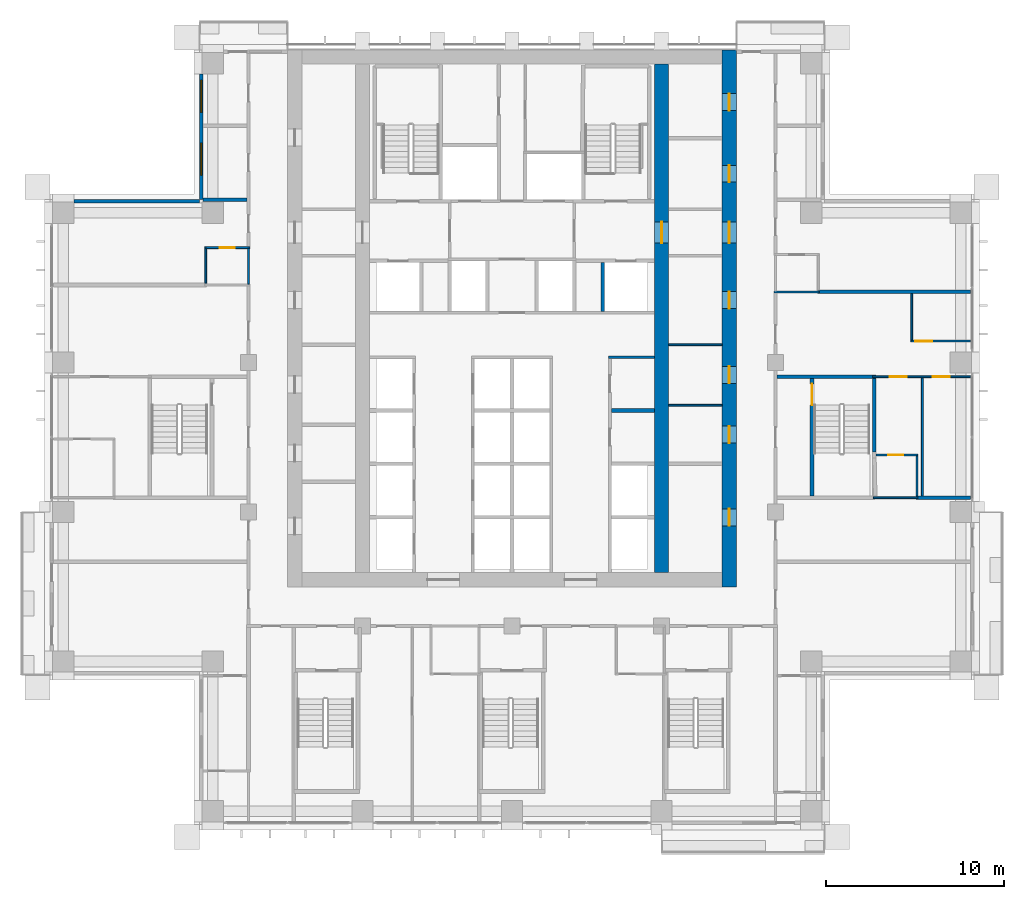
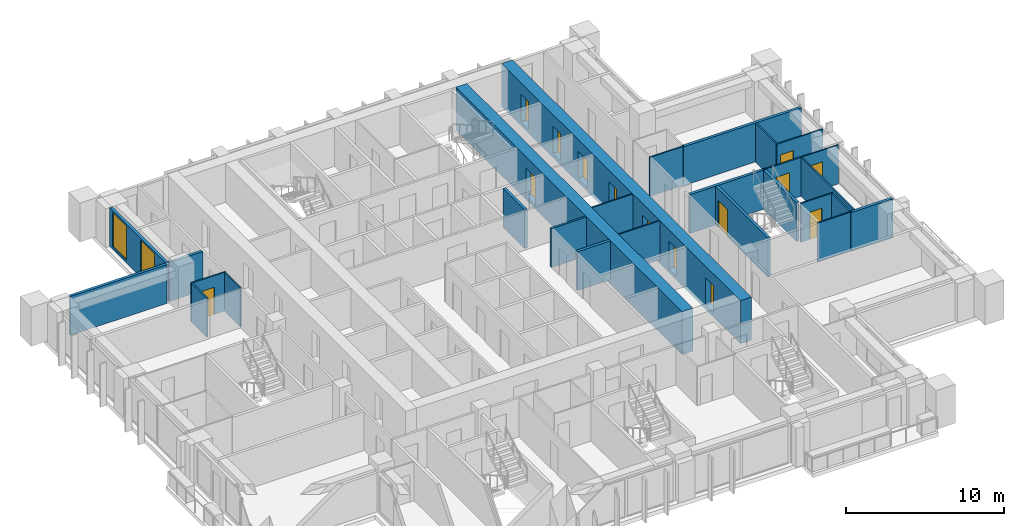
# One storey, part 13 of 21: 26 walls, 14 doors, 2 windows, 16 openings.
"""IFC4 building model written with IfcOpenShell, lengths in metres."""

from ifc_helpers import new_model, si_unit, direction, frame, frame_2d, origin, place, context, subcontext, project, spatial, rectangle, extrude, material, layer, layer_set, type_object, element, fill, save


model = new_model("IFC4")

# Units and contexts
model_context = context("Model", 3, precision=1e-05, world=origin(), true_north=direction((0.0, 1.0)))
body_context = subcontext(model_context, "Body", "Model", "MODEL_VIEW")
ifc_project = project(units=[si_unit("LENGTHUNIT", "METRE"), si_unit("AREAUNIT", "SQUARE_METRE"), si_unit("VOLUMEUNIT", "CUBIC_METRE"), si_unit("PLANEANGLEUNIT", "RADIAN"), si_unit("MASSUNIT", "GRAM", prefix="KILO")], contexts=[model_context])

# Site, building, storey
site_placement = place(None, origin())
site = spatial("IfcSite", under=ifc_project, at=site_placement, CompositionType="ELEMENT")
building_placement = place(site_placement, origin())
building = spatial("IfcBuilding", under=site, at=building_placement, Name="Vermilion Ogive Tower", CompositionType="ELEMENT")
storey_placement = place(building_placement, frame((0.0, 0.0, 118.35009765625)))
storey = spatial("IfcBuildingStorey", under=building, at=storey_placement, Name="L30", CompositionType="ELEMENT", Elevation=118.35009765625)

# Wall, openings, doors
ifc_material_1 = material(Name="Concrete B80", Category="concrete")
ifc_layer_1 = layer(ifc_material_1, 0.800048828125)
ifc_layer_set_1 = layer_set([ifc_layer_1], Name="Core wall 800 B80")
wall_type_1 = type_object("IfcWallType", Name="Core wall 800 B80", PredefinedType="SHEAR", material=ifc_layer_set_1)
wall_1_placement = place(storey_placement, frame((12.199951171875, -8.39990234375, -0.320068359375), z_axis=(0.0, 0.0, 1.0), x_axis=(0.0, 1.0, 0.0)))
wall_1 = element("IfcWall", 1, at=wall_1_placement, inside=storey, type_object=wall_type_1, Name="L30-CORE-E", PredefinedType="SHEAR", context=body_context, shape_type="SweptSolid", body=[
    extrude(rectangle(XDim=30.14990234375, YDim=0.800048828125, at=frame_2d((15.074951171875, 0.0))), origin(), (0.0, 0.0, 1.0), 3.320068359375),
])
opening_1_placement = place(wall_1_placement, frame((3.425048828125, 0.0, 0.320068359375)))
opening_1 = element("IfcOpeningElement", 2, at=opening_1_placement, cuts=wall_1, Name="Opening DAC061", PredefinedType="OPENING", context=body_context, shape_type="SweptSolid", body=[
    extrude(rectangle(XDim=0.949951171875, YDim=2.10009765625, at=frame_2d((0.47509765625, 1.050048828125))), frame((0.0, 0.409912109375, 0.0), z_axis=(0.0, -1.0, 0.0), x_axis=(1.0, 0.0, 0.0)), (0.0, 0.0, 1.0), 0.820068359375),
])
opening_2_placement = place(wall_1_placement, frame((8.074951171875, 0.0, 0.320068359375)))
opening_2 = element("IfcOpeningElement", 3, at=opening_2_placement, cuts=wall_1, Name="Opening DAC062", PredefinedType="OPENING", context=body_context, shape_type="SweptSolid", body=[
    extrude(rectangle(XDim=0.949951171875, YDim=2.10009765625, at=frame_2d((0.47509765625, 1.050048828125))), frame((0.0, 0.409912109375, 0.0), z_axis=(0.0, -1.0, 0.0), x_axis=(1.0, 0.0, 0.0)), (0.0, 0.0, 1.0), 0.820068359375),
])
opening_3_placement = place(wall_1_placement, frame((11.425048828125, 0.0, 0.320068359375)))
opening_3 = element("IfcOpeningElement", 4, at=opening_3_placement, cuts=wall_1, Name="Opening DAC063", PredefinedType="OPENING", context=body_context, shape_type="SweptSolid", body=[
    extrude(rectangle(XDim=0.949951171875, YDim=2.10009765625, at=frame_2d((0.47509765625, 1.050048828125))), frame((0.0, 0.409912109375, 0.0), z_axis=(0.0, -1.0, 0.0), x_axis=(1.0, 0.0, 0.0)), (0.0, 0.0, 1.0), 0.820068359375),
])
opening_4_placement = place(wall_1_placement, frame((15.625, 0.0, 0.320068359375)))
opening_4 = element("IfcOpeningElement", 5, at=opening_4_placement, cuts=wall_1, Name="Opening DAC064", PredefinedType="OPENING", context=body_context, shape_type="SweptSolid", body=[
    extrude(rectangle(XDim=0.949951171875, YDim=2.10009765625, at=frame_2d((0.47509765625, 1.050048828125))), frame((0.0, 0.409912109375, 0.0), z_axis=(0.0, -1.0, 0.0), x_axis=(1.0, 0.0, 0.0)), (0.0, 0.0, 1.0), 0.820068359375),
])
opening_5_placement = place(wall_1_placement, frame((22.72509765625, 0.0, 0.320068359375)))
opening_5 = element("IfcOpeningElement", 6, at=opening_5_placement, cuts=wall_1, Name="Opening DAC065", PredefinedType="OPENING", context=body_context, shape_type="SweptSolid", body=[
    extrude(rectangle(XDim=0.949951171875, YDim=2.10009765625, at=frame_2d((0.47509765625, 1.050048828125))), frame((0.0, 0.409912109375, 0.0), z_axis=(0.0, -1.0, 0.0), x_axis=(1.0, 0.0, 0.0)), (0.0, 0.0, 1.0), 0.820068359375),
])
opening_6_placement = place(wall_1_placement, frame((26.75, 0.0, 0.320068359375)))
opening_6 = element("IfcOpeningElement", 7, at=opening_6_placement, cuts=wall_1, Name="Opening DAC066", PredefinedType="OPENING", context=body_context, shape_type="SweptSolid", body=[
    extrude(rectangle(XDim=0.949951171875, YDim=2.10009765625, at=frame_2d((0.47509765625, 1.050048828125))), frame((0.0, 0.409912109375, 0.0), z_axis=(0.0, -1.0, 0.0), x_axis=(1.0, 0.0, 0.0)), (0.0, 0.0, 1.0), 0.820068359375),
])
opening_7_placement = place(wall_1_placement, frame((19.300048828125, 0.0, 0.320068359375)))
opening_7 = element("IfcOpeningElement", 8, at=opening_7_placement, cuts=wall_1, Name="Opening DAL012", PredefinedType="OPENING", context=body_context, shape_type="SweptSolid", body=[
    extrude(rectangle(XDim=1.199951171875, YDim=2.10009765625, at=frame_2d((0.60009765625, 1.050048828125))), frame((0.0, 0.409912109375, 0.0), z_axis=(0.0, -1.0, 0.0), x_axis=(1.0, 0.0, 0.0)), (0.0, 0.0, 1.0), 0.820068359375),
])
ifc_material_2 = material(Name="Timber door leaf", Category="wood")
door_type_1 = type_object("IfcDoorType", Name="Link door 1200 x 2100 FD60S", OperationType="SINGLE_SWING_LEFT", PredefinedType="DOOR", material=ifc_material_2)
door_1_placement = place(opening_7_placement, origin())
door_1 = element("IfcDoor", 9, at=door_1_placement, inside=storey, type_object=door_type_1, Name="L30-CKE-XL", OperationType="SINGLE_SWING_LEFT", OverallHeight=2.10009765625, OverallWidth=1.199951171875, PredefinedType="DOOR", context=body_context, shape_type="SweptSolid", body=[
    extrude(rectangle(XDim=1.199951171875, YDim=2.10009765625, at=frame_2d((0.60009765625, 1.050048828125))), frame((0.0, 0.02490234375, 0.0), z_axis=(0.0, -1.0, 0.0), x_axis=(1.0, 0.0, 0.0)), (0.0, 0.0, 1.0), 0.050048828125),
])
fill(opening_7, door_1)
ifc_material_3 = material(Name="Timber door leaf", Category="wood")
door_type_2 = type_object("IfcDoorType", Name="Service door 950 x 2100 FD60", OperationType="SINGLE_SWING_LEFT", PredefinedType="DOOR", material=ifc_material_3)
door_2_placement = place(opening_1_placement, origin())
door_2 = element("IfcDoor", 10, at=door_2_placement, inside=storey, type_object=door_type_2, Name="L30-CKE-XR0", OperationType="SINGLE_SWING_LEFT", OverallHeight=2.10009765625, OverallWidth=0.949951171875, PredefinedType="DOOR", context=body_context, shape_type="SweptSolid", body=[
    extrude(rectangle(XDim=0.949951171875, YDim=2.10009765625, at=frame_2d((0.47509765625, 1.050048828125))), frame((0.0, 0.02490234375, 0.0), z_axis=(0.0, -1.0, 0.0), x_axis=(1.0, 0.0, 0.0)), (0.0, 0.0, 1.0), 0.050048828125),
])
fill(opening_1, door_2)
door_3_placement = place(opening_2_placement, origin())
door_3 = element("IfcDoor", 11, at=door_3_placement, inside=storey, type_object=door_type_2, Name="L30-CKE-XR1", OperationType="SINGLE_SWING_LEFT", OverallHeight=2.10009765625, OverallWidth=0.949951171875, PredefinedType="DOOR", context=body_context, shape_type="SweptSolid", body=[
    extrude(rectangle(XDim=0.949951171875, YDim=2.10009765625, at=frame_2d((0.47509765625, 1.050048828125))), frame((0.0, 0.02490234375, 0.0), z_axis=(0.0, -1.0, 0.0), x_axis=(1.0, 0.0, 0.0)), (0.0, 0.0, 1.0), 0.050048828125),
])
fill(opening_2, door_3)
door_4_placement = place(opening_3_placement, origin())
door_4 = element("IfcDoor", 12, at=door_4_placement, inside=storey, type_object=door_type_2, Name="L30-CKE-XR2", OperationType="SINGLE_SWING_LEFT", OverallHeight=2.10009765625, OverallWidth=0.949951171875, PredefinedType="DOOR", context=body_context, shape_type="SweptSolid", body=[
    extrude(rectangle(XDim=0.949951171875, YDim=2.10009765625, at=frame_2d((0.47509765625, 1.050048828125))), frame((0.0, 0.02490234375, 0.0), z_axis=(0.0, -1.0, 0.0), x_axis=(1.0, 0.0, 0.0)), (0.0, 0.0, 1.0), 0.050048828125),
])
fill(opening_3, door_4)
door_5_placement = place(opening_4_placement, origin())
door_5 = element("IfcDoor", 13, at=door_5_placement, inside=storey, type_object=door_type_2, Name="L30-CKE-XR3", OperationType="SINGLE_SWING_LEFT", OverallHeight=2.10009765625, OverallWidth=0.949951171875, PredefinedType="DOOR", context=body_context, shape_type="SweptSolid", body=[
    extrude(rectangle(XDim=0.949951171875, YDim=2.10009765625, at=frame_2d((0.47509765625, 1.050048828125))), frame((0.0, 0.02490234375, 0.0), z_axis=(0.0, -1.0, 0.0), x_axis=(1.0, 0.0, 0.0)), (0.0, 0.0, 1.0), 0.050048828125),
])
fill(opening_4, door_5)
door_6_placement = place(opening_5_placement, origin())
door_6 = element("IfcDoor", 14, at=door_6_placement, inside=storey, type_object=door_type_2, Name="L30-CKE-XR4", OperationType="SINGLE_SWING_LEFT", OverallHeight=2.10009765625, OverallWidth=0.949951171875, PredefinedType="DOOR", context=body_context, shape_type="SweptSolid", body=[
    extrude(rectangle(XDim=0.949951171875, YDim=2.10009765625, at=frame_2d((0.47509765625, 1.050048828125))), frame((0.0, 0.02490234375, 0.0), z_axis=(0.0, -1.0, 0.0), x_axis=(1.0, 0.0, 0.0)), (0.0, 0.0, 1.0), 0.050048828125),
])
fill(opening_5, door_6)
door_7_placement = place(opening_6_placement, origin())
door_7 = element("IfcDoor", 15, at=door_7_placement, inside=storey, type_object=door_type_2, Name="L30-CKE-XR5", OperationType="SINGLE_SWING_LEFT", OverallHeight=2.10009765625, OverallWidth=0.949951171875, PredefinedType="DOOR", context=body_context, shape_type="SweptSolid", body=[
    extrude(rectangle(XDim=0.949951171875, YDim=2.10009765625, at=frame_2d((0.47509765625, 1.050048828125))), frame((0.0, 0.02490234375, 0.0), z_axis=(0.0, -1.0, 0.0), x_axis=(1.0, 0.0, 0.0)), (0.0, 0.0, 1.0), 0.050048828125),
])
fill(opening_6, door_7)

# Wall, opening, door
wall_2_placement = place(storey_placement, frame((8.39990234375, -7.60009765625, -0.320068359375), z_axis=(0.0, 0.0, 1.0), x_axis=(0.0, 1.0, 0.0)))
wall_2 = element("IfcWall", 16, at=wall_2_placement, inside=storey, type_object=wall_type_1, Name="L30-CORE-WEB2", PredefinedType="SHEAR", context=body_context, shape_type="SweptSolid", body=[
    extrude(rectangle(XDim=28.550048828125, YDim=0.800048828125, at=frame_2d((14.27490234375, 0.0))), origin(), (0.0, 0.0, 1.0), 3.320068359375),
])
opening_8_placement = place(wall_2_placement, frame((18.5, 0.0, 0.320068359375)))
opening_8 = element("IfcOpeningElement", 17, at=opening_8_placement, cuts=wall_2, Name="Opening DAO012", PredefinedType="OPENING", context=body_context, shape_type="SweptSolid", body=[
    extrude(rectangle(XDim=1.199951171875, YDim=2.10009765625, at=frame_2d((0.60009765625, 1.050048828125))), frame((0.0, 0.409912109375, 0.0), z_axis=(0.0, -1.0, 0.0), x_axis=(1.0, 0.0, 0.0)), (0.0, 0.0, 1.0), 0.820068359375),
])
door_8_placement = place(opening_8_placement, origin())
door_8 = element("IfcDoor", 18, at=door_8_placement, inside=storey, type_object=door_type_1, Name="L30-CKE-XW", OperationType="SINGLE_SWING_LEFT", OverallHeight=2.10009765625, OverallWidth=1.199951171875, PredefinedType="DOOR", context=body_context, shape_type="SweptSolid", body=[
    extrude(rectangle(XDim=1.199951171875, YDim=2.10009765625, at=frame_2d((0.60009765625, 1.050048828125))), frame((0.0, 0.02490234375, 0.0), z_axis=(0.0, -1.0, 0.0), x_axis=(1.0, 0.0, 0.0)), (0.0, 0.0, 1.0), 0.050048828125),
])
fill(opening_8, door_8)

# Wall
ifc_material_4 = material(Name="Gypsum board partition on steel studs", Category="steel")
ifc_layer_2 = layer(ifc_material_4, 0.10009765625)
ifc_layer_set_2 = layer_set([ifc_layer_2], Name="Partition 100 bath")
wall_type_2 = type_object("IfcWallType", Name="Partition 100 bath", PredefinedType="PARTITIONING", material=ifc_layer_set_2)
wall_3_placement = place(storey_placement, frame((20.300048828125, -3.39990234375, 0.0), z_axis=(0.0, 0.0, 1.0), x_axis=(1.0, 0.0, 0.0)))
element("IfcWall", 19, at=wall_3_placement, inside=storey, type_object=wall_type_2, Name="L30-W-W023", PredefinedType="PARTITIONING", context=body_context, shape_type="SweptSolid", body=[
    extrude(rectangle(XDim=2.5, YDim=0.10009765625, at=frame_2d((1.25, 0.0))), origin(), (0.0, 0.0, 1.0), 3.0),
])

# Wall, opening, door
wall_4_placement = place(storey_placement, frame((20.449951171875, -1.0, 0.0), z_axis=(0.0, 0.0, 1.0), x_axis=(1.0, 0.0, 0.0)))
wall_4 = element("IfcWall", 20, at=wall_4_placement, inside=storey, type_object=wall_type_2, Name="L30-W-W025", PredefinedType="PARTITIONING", context=body_context, shape_type="SweptSolid", body=[
    extrude(rectangle(XDim=2.35009765625, YDim=0.10009765625, at=frame_2d((1.175048828125, 0.0))), origin(), (0.0, 0.0, 1.0), 3.0),
])
opening_9_placement = place(wall_4_placement, frame((0.675048828125, 0.0, 0.0)))
opening_9 = element("IfcOpeningElement", 21, at=opening_9_placement, cuts=wall_4, Name="Opening D2G6023", PredefinedType="OPENING", context=body_context, shape_type="SweptSolid", body=[
    extrude(rectangle(XDim=0.85009765625, YDim=2.10009765625, at=frame_2d((0.425048828125, 1.050048828125))), frame((0.0, 0.06005859375, 0.0), z_axis=(0.0, -1.0, 0.0), x_axis=(1.0, 0.0, 0.0)), (0.0, 0.0, 1.0), 0.1201171875),
])
ifc_material_5 = material(Name="Timber door leaf", Category="wood")
door_type_3 = type_object("IfcDoorType", Name="Bath door 850 x 2100 FD30", OperationType="SINGLE_SWING_LEFT", PredefinedType="DOOR", material=ifc_material_5)
door_9_placement = place(opening_9_placement, origin())
door_9 = element("IfcDoor", 22, at=door_9_placement, inside=storey, type_object=door_type_3, Name="L30-D-D023", OperationType="SINGLE_SWING_RIGHT", OverallHeight=2.10009765625, OverallWidth=0.85009765625, PredefinedType="DOOR", context=body_context, shape_type="SweptSolid", body=[
    extrude(rectangle(XDim=0.85009765625, YDim=2.10009765625, at=frame_2d((0.425048828125, 1.050048828125))), frame((0.0, 0.02490234375, 0.0), z_axis=(0.0, -1.0, 0.0), x_axis=(1.0, 0.0, 0.0)), (0.0, 0.0, 1.0), 0.050048828125),
])
fill(opening_9, door_9)

# Wall
wall_5_placement = place(storey_placement, frame((14.72509765625, 8.159912109375, 0.0), z_axis=(0.0, 0.0, 1.0), x_axis=(1.0, 0.0, 0.0)))
element("IfcWall", 23, at=wall_5_placement, inside=storey, type_object=wall_type_2, Name="L30-W-W032", PredefinedType="PARTITIONING", context=body_context, shape_type="SweptSolid", body=[
    extrude(rectangle(XDim=2.52490234375, YDim=0.10009765625, at=frame_2d((1.262451171875, 0.0))), origin(), (0.0, 0.0, 1.0), 3.0),
])

# Wall, opening, door
wall_6_placement = place(storey_placement, frame((-17.25, 10.64990234375, 0.0), z_axis=(0.0, 0.0, 1.0), x_axis=(1.0, 0.0, 0.0)))
wall_6 = element("IfcWall", 24, at=wall_6_placement, inside=storey, type_object=wall_type_2, Name="L30-W-W037", PredefinedType="PARTITIONING", context=body_context, shape_type="SweptSolid", body=[
    extrude(rectangle(XDim=2.52490234375, YDim=0.10009765625, at=frame_2d((1.262451171875, 0.0))), origin(), (0.0, 0.0, 1.0), 3.0),
])
opening_10_placement = place(wall_6_placement, frame((0.824951171875, 0.0, 0.0)))
opening_10 = element("IfcOpeningElement", 25, at=opening_10_placement, cuts=wall_6, Name="Opening D2G6008", PredefinedType="OPENING", context=body_context, shape_type="SweptSolid", body=[
    extrude(rectangle(XDim=0.85009765625, YDim=2.10009765625, at=frame_2d((0.425048828125, 1.050048828125))), frame((0.0, 0.06005859375, 0.0), z_axis=(0.0, -1.0, 0.0), x_axis=(1.0, 0.0, 0.0)), (0.0, 0.0, 1.0), 0.1201171875),
])
door_10_placement = place(opening_10_placement, origin())
door_10 = element("IfcDoor", 26, at=door_10_placement, inside=storey, type_object=door_type_3, Name="L30-D-D008", OperationType="SINGLE_SWING_RIGHT", OverallHeight=2.10009765625, OverallWidth=0.85009765625, PredefinedType="DOOR", context=body_context, shape_type="SweptSolid", body=[
    extrude(rectangle(XDim=0.85009765625, YDim=2.10009765625, at=frame_2d((0.425048828125, 1.050048828125))), frame((0.0, 0.02490234375, 0.0), z_axis=(0.0, -1.0, 0.0), x_axis=(1.0, 0.0, 0.0)), (0.0, 0.0, 1.0), 0.050048828125),
])
fill(opening_10, door_10)

# Walls
wall_7_placement = place(storey_placement, frame((-17.199951171875, 8.64990234375, 0.0), z_axis=(0.0, 0.0, 1.0), x_axis=(0.0, 1.0, 0.0)))
element("IfcWall", 27, at=wall_7_placement, inside=storey, type_object=wall_type_2, Name="L30-W-W044", PredefinedType="PARTITIONING", context=body_context, shape_type="SweptSolid", body=[
    extrude(rectangle(XDim=1.9501953125, YDim=0.10009765625, at=frame_2d((0.97509765625, 0.0))), origin(), (0.0, 0.0, 1.0), 3.0),
])
wall_8_placement = place(storey_placement, frame((-14.800048828125, 8.60009765625, 0.0), z_axis=(0.0, 0.0, 1.0), x_axis=(0.0, 1.0, 0.0)))
element("IfcWall", 28, at=wall_8_placement, inside=storey, type_object=wall_type_2, Name="L30-W-W049", PredefinedType="PARTITIONING", context=body_context, shape_type="SweptSolid", body=[
    extrude(rectangle(XDim=2.0, YDim=0.10009765625, at=frame_2d((1.0, 0.0))), origin(), (0.0, 0.0, 1.0), 3.0),
])
wall_9_placement = place(storey_placement, frame((22.75, -3.300048828125, 0.0), z_axis=(0.0, 0.0, 1.0), x_axis=(0.0, 1.0, 0.0)))
element("IfcWall", 29, at=wall_9_placement, inside=storey, type_object=wall_type_2, Name="L30-W-W078", PredefinedType="PARTITIONING", context=body_context, shape_type="SweptSolid", body=[
    extrude(rectangle(XDim=2.25, YDim=0.10009765625, at=frame_2d((1.125, 0.0))), origin(), (0.0, 0.0, 1.0), 3.0),
])
for number, where, z_axis, x_axis, name in (
    (30, (8.801025390625, 1.800048828125, 0.0), (0.0, 0.0, 1.0), (1.0, 0.0, 0.0), "L30-CKE-W-W002"),
    (31, (8.801025390625, 5.199951171875, 0.0), (0.0, 0.0, 1.0), (1.0, 0.0, 0.0), "L30-CKE-W-W003"),
):
    element("IfcWall", number, at=place(storey_placement, frame(where, z_axis=z_axis, x_axis=x_axis)), inside=storey, type_object=wall_type_2, Name=name, PredefinedType="PARTITIONING", context=body_context, shape_type="SweptSolid", body=[
        extrude(rectangle(XDim=2.998046875, YDim=0.10009765625, at=frame_2d((1.4990234375, 0.0))), origin(), (0.0, 0.0, 1.0), 3.0),
    ])

# Wall, openings, doors
ifc_material_6 = material(Name="Gypsum board partition on steel studs", Category="steel")
ifc_layer_3 = layer(ifc_material_6, 0.10009765625)
ifc_layer_set_3 = layer_set([ifc_layer_3], Name="Partition 100 inner")
wall_type_3 = type_object("IfcWallType", Name="Partition 100 inner", PredefinedType="PARTITIONING", material=ifc_layer_set_3)
wall_10_placement = place(storey_placement, frame((20.25, 3.39990234375, 0.0), z_axis=(0.0, 0.0, 1.0), x_axis=(1.0, 0.0, 0.0)))
wall_10 = element("IfcWall", 32, at=wall_10_placement, inside=storey, type_object=wall_type_3, Name="L30-W-W030", PredefinedType="PARTITIONING", context=body_context, shape_type="SweptSolid", body=[
    extrude(rectangle(XDim=5.5, YDim=0.10009765625, at=frame_2d((2.75, 0.0))), origin(), (0.0, 0.0, 1.0), 3.0),
])
opening_11_placement = place(wall_10_placement, frame((3.375, 0.0, 0.0)))
opening_11 = element("IfcOpeningElement", 33, at=opening_11_placement, cuts=wall_10, Name="Opening D2G6019", PredefinedType="OPENING", context=body_context, shape_type="SweptSolid", body=[
    extrude(rectangle(XDim=0.949951171875, YDim=2.10009765625, at=frame_2d((0.47509765625, 1.050048828125))), frame((0.0, 0.06005859375, 0.0), z_axis=(0.0, -1.0, 0.0), x_axis=(1.0, 0.0, 0.0)), (0.0, 0.0, 1.0), 0.1201171875),
])
opening_12_placement = place(wall_10_placement, frame((0.97509765625, 0.0, 0.0)))
opening_12 = element("IfcOpeningElement", 34, at=opening_12_placement, cuts=wall_10, Name="Opening D2G6022", PredefinedType="OPENING", context=body_context, shape_type="SweptSolid", body=[
    extrude(rectangle(XDim=0.949951171875, YDim=2.10009765625, at=frame_2d((0.47509765625, 1.050048828125))), frame((0.0, 0.06005859375, 0.0), z_axis=(0.0, -1.0, 0.0), x_axis=(1.0, 0.0, 0.0)), (0.0, 0.0, 1.0), 0.1201171875),
])
ifc_material_7 = material(Name="Timber door leaf", Category="wood")
door_type_4 = type_object("IfcDoorType", Name="Inner door 950 x 2100 FD30", OperationType="SINGLE_SWING_LEFT", PredefinedType="DOOR", material=ifc_material_7)
door_11_placement = place(opening_11_placement, origin())
door_11 = element("IfcDoor", 35, at=door_11_placement, inside=storey, type_object=door_type_4, Name="L30-D-D019", OperationType="SINGLE_SWING_RIGHT", OverallHeight=2.10009765625, OverallWidth=0.949951171875, PredefinedType="DOOR", context=body_context, shape_type="SweptSolid", body=[
    extrude(rectangle(XDim=0.949951171875, YDim=2.10009765625, at=frame_2d((0.47509765625, 1.050048828125))), frame((0.0, 0.02490234375, 0.0), z_axis=(0.0, -1.0, 0.0), x_axis=(1.0, 0.0, 0.0)), (0.0, 0.0, 1.0), 0.050048828125),
])
fill(opening_11, door_11)
door_12_placement = place(opening_12_placement, origin())
door_12 = element("IfcDoor", 36, at=door_12_placement, inside=storey, type_object=door_type_4, Name="L30-D-D022", OperationType="SINGLE_SWING_RIGHT", OverallHeight=2.10009765625, OverallWidth=0.949951171875, PredefinedType="DOOR", context=body_context, shape_type="SweptSolid", body=[
    extrude(rectangle(XDim=0.949951171875, YDim=2.10009765625, at=frame_2d((0.47509765625, 1.050048828125))), frame((0.0, 0.02490234375, 0.0), z_axis=(0.0, -1.0, 0.0), x_axis=(1.0, 0.0, 0.0)), (0.0, 0.0, 1.0), 0.050048828125),
])
fill(opening_12, door_12)

# Wall, opening, door
wall_11_placement = place(storey_placement, frame((22.39990234375, 5.39990234375, 0.0), z_axis=(0.0, 0.0, 1.0), x_axis=(1.0, 0.0, 0.0)))
wall_11 = element("IfcWall", 37, at=wall_11_placement, inside=storey, type_object=wall_type_3, Name="L30-W-W031", PredefinedType="PARTITIONING", context=body_context, shape_type="SweptSolid", body=[
    extrude(rectangle(XDim=3.35009765625, YDim=0.10009765625, at=frame_2d((1.675048828125, 0.0))), origin(), (0.0, 0.0, 1.0), 3.0),
])
opening_13_placement = place(wall_11_placement, frame((0.25, 0.0, 0.0)))
opening_13 = element("IfcOpeningElement", 38, at=opening_13_placement, cuts=wall_11, Name="Opening D2G6020", PredefinedType="OPENING", context=body_context, shape_type="SweptSolid", body=[
    extrude(rectangle(XDim=0.949951171875, YDim=2.10009765625, at=frame_2d((0.47509765625, 1.050048828125))), frame((0.0, 0.06005859375, 0.0), z_axis=(0.0, -1.0, 0.0), x_axis=(1.0, 0.0, 0.0)), (0.0, 0.0, 1.0), 0.1201171875),
])
door_13_placement = place(opening_13_placement, origin())
door_13 = element("IfcDoor", 39, at=door_13_placement, inside=storey, type_object=door_type_4, Name="L30-D-D020", OperationType="SINGLE_SWING_LEFT", OverallHeight=2.10009765625, OverallWidth=0.949951171875, PredefinedType="DOOR", context=body_context, shape_type="SweptSolid", body=[
    extrude(rectangle(XDim=0.949951171875, YDim=2.10009765625, at=frame_2d((0.47509765625, 1.050048828125))), frame((0.0, 0.02490234375, 0.0), z_axis=(0.0, -1.0, 0.0), x_axis=(1.0, 0.0, 0.0)), (0.0, 0.0, 1.0), 0.050048828125),
])
fill(opening_13, door_13)

# Walls
wall_12_placement = place(storey_placement, frame((22.449951171875, 5.449951171875, 0.0), z_axis=(0.0, 0.0, 1.0), x_axis=(0.0, 1.0, 0.0)))
element("IfcWall", 40, at=wall_12_placement, inside=storey, type_object=wall_type_3, Name="L30-W-W077", PredefinedType="PARTITIONING", context=body_context, shape_type="SweptSolid", body=[
    extrude(rectangle(XDim=2.610107421875, YDim=0.10009765625, at=frame_2d((1.30517578125, 0.0))), origin(), (0.0, 0.0, 1.0), 3.0),
])
wall_13_placement = place(storey_placement, frame((23.050048828125, -3.300048828125, 0.0), z_axis=(0.0, 0.0, 1.0), x_axis=(0.0, 1.0, 0.0)))
element("IfcWall", 41, at=wall_13_placement, inside=storey, type_object=wall_type_3, Name="L30-W-W079", PredefinedType="PARTITIONING", context=body_context, shape_type="SweptSolid", body=[
    extrude(rectangle(XDim=6.650146484375, YDim=0.10009765625, at=frame_2d((3.3251953125, 0.0))), origin(), (0.0, 0.0, 1.0), 3.0),
])
ifc_material_8 = material(Name="Gypsum board partition on steel studs", Category="steel")
ifc_layer_4 = layer(ifc_material_8, 0.14990234375)
ifc_layer_set_4 = layer_set([ifc_layer_4], Name="Partition 150 corridor")
wall_type_4 = type_object("IfcWallType", Name="Partition 150 corridor", PredefinedType="PARTITIONING", material=ifc_layer_set_4)
wall_14_placement = place(storey_placement, frame((5.425048828125, 4.5, 0.0), z_axis=(0.0, 0.0, 1.0), x_axis=(1.0, 0.0, 0.0)))
element("IfcWall", 42, at=wall_14_placement, inside=storey, type_object=wall_type_4, Name="L30-CK-W-W012", PredefinedType="PARTITIONING", context=body_context, shape_type="SweptSolid", body=[
    extrude(rectangle(XDim=2.573974609375, YDim=0.14990234375, at=frame_2d((1.287109375, 0.0))), origin(), (0.0, 0.0, 1.0), 3.0),
])
ifc_material_9 = material(Name="Gypsum board partition on steel studs", Category="steel")
ifc_layer_5 = layer(ifc_material_9, 0.199951171875)
ifc_layer_set_5 = layer_set([ifc_layer_5], Name="Partition 200 party")
wall_type_5 = type_object("IfcWallType", Name="Partition 200 party", PredefinedType="PARTITIONING", material=ifc_layer_set_5)
wall_15_placement = place(storey_placement, frame((22.699951171875, -3.39990234375, 0.0), z_axis=(0.0, 0.0, 1.0), x_axis=(1.0, 0.0, 0.0)))
element("IfcWall", 43, at=wall_15_placement, inside=storey, type_object=wall_type_5, Name="L30-W-W024", PredefinedType="PARTITIONING", context=body_context, shape_type="SweptSolid", body=[
    extrude(rectangle(XDim=3.050048828125, YDim=0.199951171875, at=frame_2d((1.52490234375, 0.0))), origin(), (0.0, 0.0, 1.0), 3.0),
])
wall_16_placement = place(storey_placement, frame((17.14990234375, 8.159912109375, 0.0), z_axis=(0.0, 0.0, 1.0), x_axis=(1.0, 0.0, 0.0)))
element("IfcWall", 44, at=wall_16_placement, inside=storey, type_object=wall_type_5, Name="L30-W-W033", PredefinedType="PARTITIONING", context=body_context, shape_type="SweptSolid", body=[
    extrude(rectangle(XDim=8.60009765625, YDim=0.199951171875, at=frame_2d((4.300048828125, 0.0))), origin(), (0.0, 0.0, 1.0), 3.0),
])
wall_17_placement = place(storey_placement, frame((-17.35009765625, 13.35009765625, 0.0), z_axis=(0.0, 0.0, 1.0), x_axis=(1.0, 0.0, 0.0)))
element("IfcWall", 45, at=wall_17_placement, inside=storey, type_object=wall_type_5, Name="L30-W-W038", PredefinedType="PARTITIONING", context=body_context, shape_type="SweptSolid", body=[
    extrude(rectangle(XDim=2.47509765625, YDim=0.199951171875, at=frame_2d((1.237548828125, 0.0))), origin(), (0.0, 0.0, 1.0), 3.0),
])
wall_18_placement = place(storey_placement, frame((5.574951171875, 1.5, 0.0), z_axis=(0.0, 0.0, 1.0), x_axis=(1.0, 0.0, 0.0)))
element("IfcWall", 46, at=wall_18_placement, inside=storey, type_object=wall_type_5, Name="L30-CK-W-W009", PredefinedType="PARTITIONING", context=body_context, shape_type="SweptSolid", body=[
    extrude(rectangle(XDim=2.424072265625, YDim=0.199951171875, at=frame_2d((1.2119140625, 0.0))), origin(), (0.0, 0.0, 1.0), 3.0),
])
wall_19_placement = place(storey_placement, frame((5.10009765625, 7.074951171875, 0.0), z_axis=(0.0, 0.0, 1.0), x_axis=(0.0, 1.0, 0.0)))
element("IfcWall", 47, at=wall_19_placement, inside=storey, type_object=wall_type_5, Name="L30-CK-W-W039", PredefinedType="PARTITIONING", context=body_context, shape_type="SweptSolid", body=[
    extrude(rectangle(XDim=2.72509765625, YDim=0.199951171875, at=frame_2d((1.362548828125, 0.0))), origin(), (0.0, 0.0, 1.0), 3.0),
])

# Wall, opening, door
ifc_material_10 = material(Name="Concrete B60", Category="concrete")
ifc_layer_6 = layer(ifc_material_10, 0.199951171875)
ifc_layer_set_6 = layer_set([ifc_layer_6], Name="Stair shaft wall 200 Concrete B60")
wall_type_6 = type_object("IfcWallType", Name="Stair shaft wall 200 Concrete B60", PredefinedType="SOLIDWALL", material=ifc_layer_set_6)
wall_20_placement = place(storey_placement, frame((16.85009765625, -3.300048828125, 0.0), z_axis=(0.0, 0.0, 1.0), x_axis=(0.0, 1.0, 0.0)))
wall_20 = element("IfcWall", 48, at=wall_20_placement, inside=storey, type_object=wall_type_6, Name="L30-W-W073", PredefinedType="SOLIDWALL", context=body_context, shape_type="SweptSolid", body=[
    extrude(rectangle(XDim=6.60009765625, YDim=0.199951171875, at=frame_2d((3.300048828125, 0.0))), origin(), (0.0, 0.0, 1.0), 3.0),
])
opening_14_placement = place(wall_20_placement, frame((5.10009765625, 0.0, 0.0)))
opening_14 = element("IfcOpeningElement", 49, at=opening_14_placement, cuts=wall_20, Name="Opening D2G6035", PredefinedType="OPENING", context=body_context, shape_type="SweptSolid", body=[
    extrude(rectangle(XDim=1.199951171875, YDim=2.10009765625, at=frame_2d((0.60009765625, 1.050048828125))), frame((0.0, 0.10986328125, 0.0), z_axis=(0.0, -1.0, 0.0), x_axis=(1.0, 0.0, 0.0)), (0.0, 0.0, 1.0), 0.219970703125),
])
ifc_material_11 = material(Name="Timber door leaf", Category="wood")
door_type_5 = type_object("IfcDoorType", Name="Stair door 1200 x 2100 FD60S", OperationType="SINGLE_SWING_LEFT", PredefinedType="DOOR", material=ifc_material_11)
door_14_placement = place(opening_14_placement, origin())
door_14 = element("IfcDoor", 50, at=door_14_placement, inside=storey, type_object=door_type_5, Name="L30-D-D035", OperationType="SINGLE_SWING_LEFT", OverallHeight=2.10009765625, OverallWidth=1.199951171875, PredefinedType="DOOR", context=body_context, shape_type="SweptSolid", body=[
    extrude(rectangle(XDim=1.199951171875, YDim=2.10009765625, at=frame_2d((0.60009765625, 1.050048828125))), frame((0.0, 0.02490234375, 0.0), z_axis=(0.0, -1.0, 0.0), x_axis=(1.0, 0.0, 0.0)), (0.0, 0.0, 1.0), 0.050048828125),
])
fill(opening_14, door_14)

# Walls
wall_21_placement = place(storey_placement, frame((20.35009765625, -0.830078125, 0.0), z_axis=(0.0, 0.0, 1.0), x_axis=(0.0, 1.0, 0.0)))
element("IfcWall", 51, at=wall_21_placement, inside=storey, type_object=wall_type_6, Name="L30-W-W076", PredefinedType="SOLIDWALL", context=body_context, shape_type="SweptSolid", body=[
    extrude(rectangle(XDim=4.130126953125, YDim=0.199951171875, at=frame_2d((2.06494140625, 0.0))), origin(), (0.0, 0.0, 1.0), 3.0),
])
wall_22_placement = place(storey_placement, frame((14.875, 3.39990234375, 0.0), z_axis=(0.0, 0.0, 1.0), x_axis=(1.0, 0.0, 0.0)))
element("IfcWall", 52, at=wall_22_placement, inside=storey, type_object=wall_type_6, Name="L30-W-W029-A", PredefinedType="SOLIDWALL", context=body_context, shape_type="SweptSolid", body=[
    extrude(rectangle(XDim=5.574951171875, YDim=0.199951171875, at=frame_2d((2.78759765625, 0.0))), origin(), (0.0, 0.0, 1.0), 3.0),
])

# Wall, openings, windows
ifc_material_12 = material(Name="Aluminium window wall framing", Category="aluminium")
ifc_layer_7 = layer(ifc_material_12, 0.199951171875)
ifc_layer_set_7 = layer_set([ifc_layer_7], Name="Window wall")
wall_type_7 = type_object("IfcWallType", Name="Window wall", PredefinedType="STANDARD", material=ifc_layer_set_7)
wall_23_placement = place(storey_placement, frame((-17.449951171875, 20.39990234375, 0.0), z_axis=(0.0, 0.0, 1.0), x_axis=(0.0, -1.0, 0.0)))
wall_23 = element("IfcWall", 53, at=wall_23_placement, inside=storey, type_object=wall_type_7, Name="Window wall X51", PredefinedType="STANDARD", context=body_context, shape_type="SweptSolid", body=[
    extrude(rectangle(XDim=7.0498046875, YDim=0.199951171875, at=frame_2d((3.52490234375, 0.0))), origin(), (0.0, 0.0, 1.0), 3.0),
])
opening_15_placement = place(wall_23_placement, frame((3.875, 0.0, 0.199951171875)))
opening_15 = element("IfcOpeningElement", 54, at=opening_15_placement, cuts=wall_23, Name="Opening W1-X503", PredefinedType="OPENING", context=body_context, shape_type="SweptSolid", body=[
    extrude(rectangle(XDim=1.800048828125, YDim=2.64990234375, at=frame_2d((0.89990234375, 1.324951171875))), frame((0.0, 0.10986328125, 0.0), z_axis=(0.0, -1.0, 0.0), x_axis=(1.0, 0.0, 0.0)), (0.0, 0.0, 1.0), 0.219970703125),
])
opening_16_placement = place(wall_23_placement, frame((0.35009765625, 0.0, 0.199951171875)))
opening_16 = element("IfcOpeningElement", 55, at=opening_16_placement, cuts=wall_23, Name="Opening W1-X504", PredefinedType="OPENING", context=body_context, shape_type="SweptSolid", body=[
    extrude(rectangle(XDim=1.800048828125, YDim=2.64990234375, at=frame_2d((0.89990234375, 1.324951171875))), frame((0.0, 0.10986328125, 0.0), z_axis=(0.0, -1.0, 0.0), x_axis=(1.0, 0.0, 0.0)), (0.0, 0.0, 1.0), 0.219970703125),
])
ifc_material_13 = material(Name="Aluminium framed double glazing", Category="aluminium")
window_type = type_object("IfcWindowType", Name="Guest window W1", PartitioningType="SINGLE_PANEL", PredefinedType="WINDOW", material=ifc_material_13)
window_1_placement = place(opening_15_placement, origin())
window_1 = element("IfcWindow", 56, at=window_1_placement, inside=storey, type_object=window_type, Name="Window X503", OverallHeight=2.64990234375, OverallWidth=1.800048828125, PartitioningType="SINGLE_PANEL", PredefinedType="WINDOW", context=body_context, shape_type="SweptSolid", body=[
    extrude(rectangle(XDim=1.800048828125, YDim=2.64990234375, at=frame_2d((0.89990234375, 1.324951171875))), frame((0.0, 0.030029296875, 0.0), z_axis=(0.0, -1.0, 0.0), x_axis=(1.0, 0.0, 0.0)), (0.0, 0.0, 1.0), 0.06005859375),
])
fill(opening_15, window_1)
window_2_placement = place(opening_16_placement, origin())
window_2 = element("IfcWindow", 57, at=window_2_placement, inside=storey, type_object=window_type, Name="Window X504", OverallHeight=2.64990234375, OverallWidth=1.800048828125, PartitioningType="SINGLE_PANEL", PredefinedType="WINDOW", context=body_context, shape_type="SweptSolid", body=[
    extrude(rectangle(XDim=1.800048828125, YDim=2.64990234375, at=frame_2d((0.89990234375, 1.324951171875))), frame((0.0, 0.030029296875, 0.0), z_axis=(0.0, -1.0, 0.0), x_axis=(1.0, 0.0, 0.0)), (0.0, 0.0, 1.0), 0.06005859375),
])
fill(opening_16, window_2)

# Wall
wall_24_placement = place(storey_placement, frame((-17.550048828125, 13.25, 0.0), z_axis=(0.0, 0.0, 1.0), x_axis=(-1.0, 0.0, 0.0)))
element("IfcWall", 58, at=wall_24_placement, inside=storey, type_object=wall_type_7, Name="Window wall X61", PredefinedType="STANDARD", context=body_context, shape_type="SweptSolid", body=[
    extrude(rectangle(XDim=7.050048828125, YDim=0.199951171875, at=frame_2d((3.52490234375, 0.0))), origin(), (0.0, 0.0, 1.0), 3.0),
])

save(model, "model.ifc")
